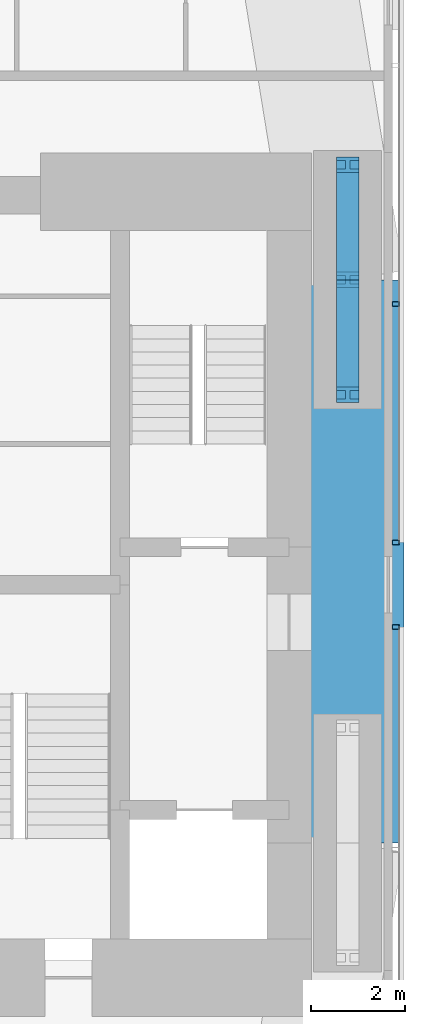
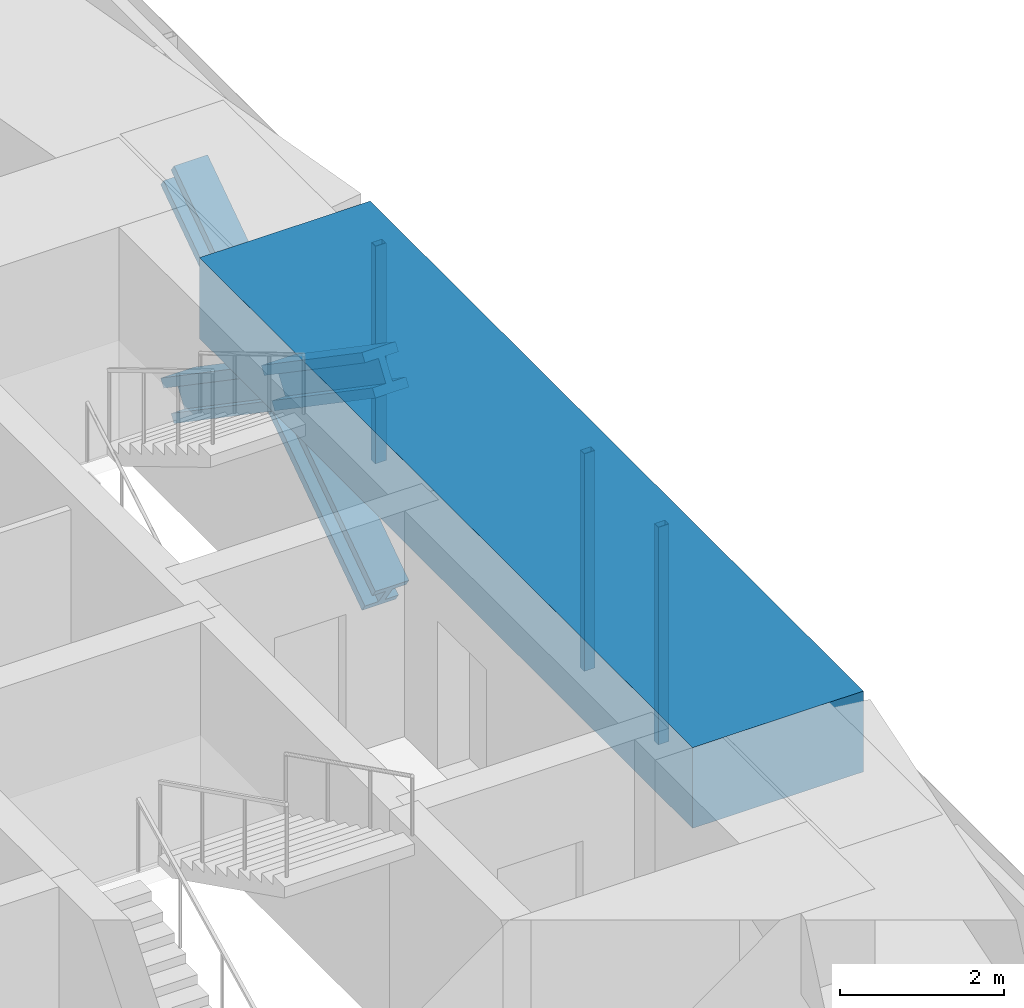
# One storey, part 8 of 22: 7 members, 1 beam, 2 elements without a shape of their own.
"""IFC4 building model written with IfcOpenShell, lengths in metres."""

from ifc_helpers import new_model, si_unit, direction, frame, origin, origin_2d, place, context, subcontext, project, spatial, rectangle, hollow_rectangle, i_section, extrude, material, material_profile, profile_set, type_object, element, aggregate, save


model = new_model("IFC4")

# Units and contexts
model_context = context("Model", 3, precision=1e-05, world=origin(), true_north=direction((0.0, 1.0)))
body_context = subcontext(model_context, "Body", "Model", "MODEL_VIEW")
ifc_project = project(units=[si_unit("LENGTHUNIT", "METRE"), si_unit("AREAUNIT", "SQUARE_METRE"), si_unit("VOLUMEUNIT", "CUBIC_METRE"), si_unit("PLANEANGLEUNIT", "RADIAN"), si_unit("MASSUNIT", "GRAM", prefix="KILO")], contexts=[model_context])

# Site, building, storey
site_placement = place(None, origin())
site = spatial("IfcSite", under=ifc_project, at=site_placement, CompositionType="ELEMENT")
building_placement = place(site_placement, origin())
building = spatial("IfcBuilding", under=site, at=building_placement, Name="Jalousie Tower", CompositionType="ELEMENT")
storey_placement = place(building_placement, frame((0.0, 0.0, 67.89990234375)))
storey = spatial("IfcBuildingStorey", under=building, at=storey_placement, Name="L18", CompositionType="ELEMENT", Elevation=67.89990234375)

# Members
ifc_material_1 = material(Name="Steel ASTM A992 Grade 50", Category="steel")
ifc_material_profile_1 = material_profile(ifc_material_1, i_section(OverallWidth=0.472412109375, OverallDepth=0.5791015625, WebThickness=0.094970703125, FlangeThickness=0.1298828125, at=origin_2d()), Name="W14X808")
ifc_profile_set_1 = profile_set([ifc_material_profile_1], Name="Steel ASTM A992 Grade 50")
member_type_1 = type_object("IfcMemberType", Name="PERIMETER BRACE W14X808", PredefinedType="BRACE", material=ifc_profile_set_1)
for number, where, z_axis, x_axis, name in (
    (1, (45.050048828125, 22.550048828125, -0.599853515625), (0.0, 0.825500916831, 0.564400776321), (-1.0, 0.0, 0.0), "Perimeter brace 07 L18 part 1"),
    (2, (45.050048828125, 25.0, 1.0751953125), (0.0, 0.825539243753, 0.564344714713), (-1.0, 0.0, 0.0), "Perimeter brace 07 L18 part 2"),
    (3, (45.050048828125, 27.449951171875, -0.599853515625), (0.0, -0.825500916831, 0.564400776321), (1.0, 0.0, 0.0), "Perimeter brace 07 L18 part 3"),
    (4, (45.050048828125, 25.0, 1.0751953125), (0.0, -0.825539243753, 0.564344714713), (1.0, 0.0, 0.0), "Perimeter brace 07 L18 part 4"),
):
    element("IfcMember", number, at=place(storey_placement, frame(where, z_axis=z_axis, x_axis=x_axis)), inside=storey, type_object=member_type_1, Name=name, PredefinedType="BRACE", context=body_context, shape_type="SweptSolid", body=[
        extrude(i_section(OverallWidth=0.472412109375, OverallDepth=0.5791015625, WebThickness=0.094970703125, FlangeThickness=0.1298828125, at=origin_2d()), origin(), (0.0, 0.0, 1.0), 2.9677734375),
    ])

# Beam
ifc_material_2 = material(Name="Concrete f'c 40 MPa", Category="concrete")
ifc_material_profile_2 = material_profile(ifc_material_2, rectangle(XDim=2.39990234375, YDim=1.199951171875, at=origin_2d()), Name="RC 2400x1200")
ifc_profile_set_2 = profile_set([ifc_material_profile_2], Name="Concrete f'c 40 MPa")
beam_type = type_object("IfcBeamType", Name="RC BEAM 2400x1200", PredefinedType="BEAM", material=ifc_profile_set_2)
beam_placement = place(storey_placement, frame((45.050048828125, 13.0, 2.75), z_axis=(0.0, 1.0, 0.0), x_axis=(-1.0, 0.0, 0.0)))
element("IfcBeam", 5, at=beam_placement, inside=storey, type_object=beam_type, Name="Edge band beam 06-07 under L19", PredefinedType="BEAM", context=body_context, shape_type="SweptSolid", body=[
    extrude(rectangle(XDim=2.39990234375, YDim=1.199951171875, at=origin_2d()), origin(), (0.0, 0.0, 1.0), 12.0),
])

# Curtain wall, member
ifc_material_3 = material(Name="Perforated aluminium sheet", Category="aluminium")
curtain_wall_type = type_object("IfcCurtainWallType", Name="SOLAR SCREEN SS-1", PredefinedType="USERDEFINED", material=ifc_material_3)
curtain_wall_1_placement = place(storey_placement, origin())
curtain_wall_1 = element("IfcCurtainWall", 6, at=curtain_wall_1_placement, inside=storey, type_object=curtain_wall_type, Name="Solar screen L18", ObjectType="SOLAR SCREEN SS-1", PredefinedType="USERDEFINED")
ifc_material_4 = material(Name="Steel ASTM A500 Grade C", Category="steel")
ifc_material_profile_3 = material_profile(ifc_material_4, hollow_rectangle(XDim=0.1015625, YDim=0.15234375, WallThickness=0.00634765625, at=origin_2d()), Name="HSS6X4X1/4")
ifc_profile_set_3 = profile_set([ifc_material_profile_3], Name="Steel ASTM A500 Grade C")
member_type_2 = type_object("IfcMemberType", Name="SOLAR SCREEN SS-1 MULLION", PredefinedType="MULLION", material=ifc_profile_set_3)
member_1_placement = place(storey_placement, frame((46.0712890625, 17.60009765625, -0.119873046875), z_axis=(0.0, 0.0, 1.0), x_axis=(0.0, 1.0, 0.0)))
member_1 = element("IfcMember", 7, at=member_1_placement, type_object=member_type_2, Name="SS1 post 4", PredefinedType="MULLION", context=body_context, shape_type="SweptSolid", body=[
    extrude(hollow_rectangle(XDim=0.1015625, YDim=0.15234375, WallThickness=0.00634765625, at=origin_2d()), origin(), (0.0, 0.0, 1.0), 3.22998046875),
])
aggregate(curtain_wall_1, [member_1])

# Curtain wall, members
curtain_wall_2_placement = place(storey_placement, origin())
curtain_wall_2 = element("IfcCurtainWall", 8, at=curtain_wall_2_placement, inside=storey, type_object=curtain_wall_type, Name="Solar screen L18", ObjectType="SOLAR SCREEN SS-1", PredefinedType="USERDEFINED")
member_2_placement = place(storey_placement, frame((46.0712890625, 19.39990234375, -0.119873046875), z_axis=(0.0, 0.0, 1.0), x_axis=(0.0, 1.0, 0.0)))
member_2 = element("IfcMember", 9, at=member_2_placement, type_object=member_type_2, Name="SS1 post 1", PredefinedType="MULLION", context=body_context, shape_type="SweptSolid", body=[
    extrude(hollow_rectangle(XDim=0.1015625, YDim=0.15234375, WallThickness=0.00634765625, at=origin_2d()), origin(), (0.0, 0.0, 1.0), 3.22998046875),
])
member_3_placement = place(storey_placement, frame((46.0712890625, 24.48291015625, -0.119873046875), z_axis=(0.0, 0.0, 1.0), x_axis=(0.0, 1.0, 0.0)))
member_3 = element("IfcMember", 10, at=member_3_placement, type_object=member_type_2, Name="SS1 post 2", PredefinedType="MULLION", context=body_context, shape_type="SweptSolid", body=[
    extrude(hollow_rectangle(XDim=0.1015625, YDim=0.15234375, WallThickness=0.00634765625, at=origin_2d()), origin(), (0.0, 0.0, 1.0), 3.22998046875),
])
aggregate(curtain_wall_2, [member_2, member_3])

save(model, "model.ifc")
